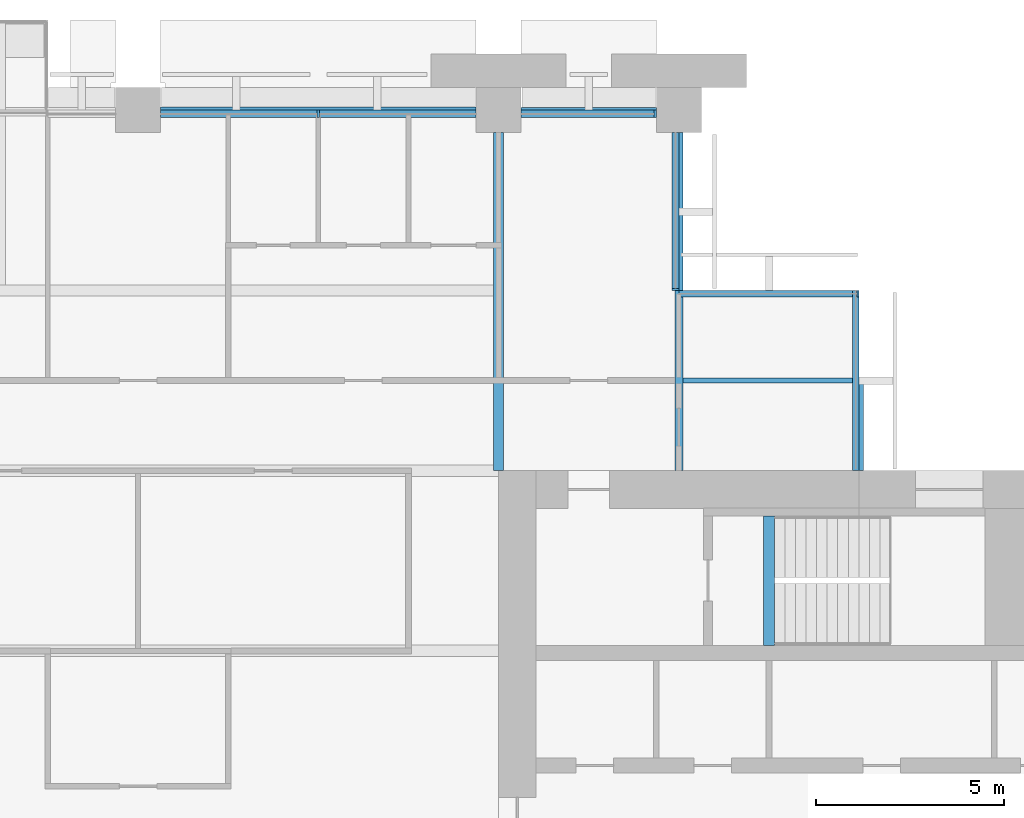
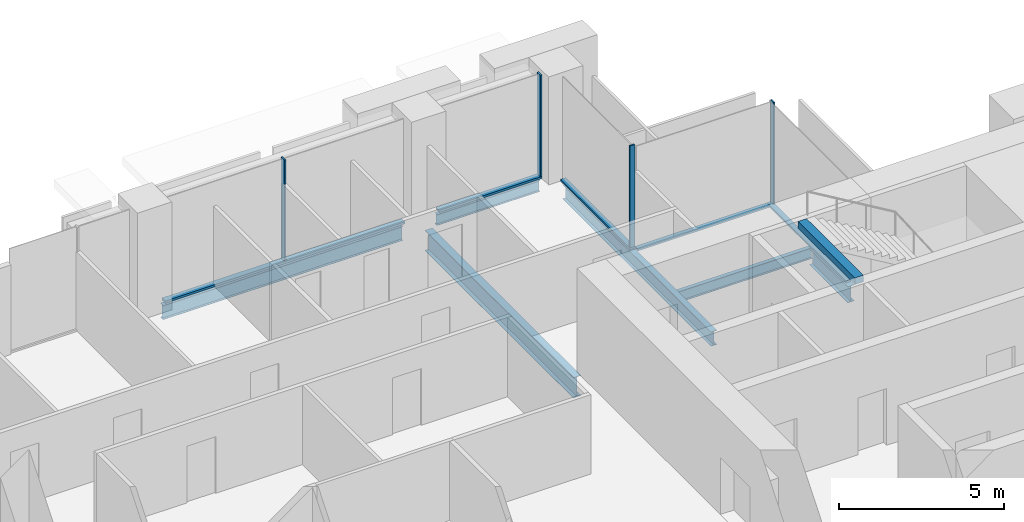
# One storey, part 7 of 15: 9 members, 7 beams, 4 elements without a shape of their own.
"""IFC4 building model written with IfcOpenShell, lengths in metres."""

from ifc_helpers import new_model, si_unit, direction, frame, origin, origin_2d, place, context, subcontext, project, spatial, rectangle, i_section, extrude, material, material_profile, profile_set, type_object, element, aggregate, save


model = new_model("IFC4")

# Units and contexts
model_context = context("Model", 3, precision=1e-05, world=origin(), true_north=direction((0.0, 1.0)))
body_context = subcontext(model_context, "Body", "Model", "MODEL_VIEW")
ifc_project = project(units=[si_unit("LENGTHUNIT", "METRE"), si_unit("AREAUNIT", "SQUARE_METRE"), si_unit("VOLUMEUNIT", "CUBIC_METRE"), si_unit("PLANEANGLEUNIT", "RADIAN"), si_unit("MASSUNIT", "GRAM", prefix="KILO")], contexts=[model_context])

# Site, building, storey
site_placement = place(None, origin())
site = spatial("IfcSite", under=ifc_project, at=site_placement, CompositionType="ELEMENT")
building_placement = place(site_placement, origin())
building = spatial("IfcBuilding", under=site, at=building_placement, Name="Baori Bourse Tower", CompositionType="ELEMENT")
storey_placement = place(building_placement, frame((0.0, 0.0, 152.10009765625)))
storey = spatial("IfcBuildingStorey", under=building, at=storey_placement, Name="L33", CompositionType="ELEMENT", Elevation=152.10009765625)

# Curtain wall, members
ifc_material_1 = material(Name="Pale anodised aluminium", Category="aluminium")
curtain_wall_type_1 = type_object("IfcCurtainWallType", Name="CW1 Curtain wall", PredefinedType="NOTDEFINED", material=ifc_material_1)
curtain_wall_1_placement = place(storey_placement, origin())
curtain_wall_1 = element("IfcCurtainWall", 1, at=curtain_wall_1_placement, inside=storey, type_object=curtain_wall_type_1, Name="Curtain wall CW1 L33 4", PredefinedType="NOTDEFINED")
ifc_material_2 = material(Name="Pale anodised aluminium", Category="aluminium")
ifc_material_profile_1 = material_profile(ifc_material_2, rectangle(XDim=0.199951171875, YDim=0.06005859375, at=origin_2d()), Name="Mullion 60x200")
ifc_profile_set_1 = profile_set([ifc_material_profile_1], Name="Pale anodised aluminium")
member_type_1 = type_object("IfcMemberType", Name="CW1 Curtain wall mullion", PredefinedType="MULLION", material=ifc_profile_set_1)
member_1_placement = place(storey_placement, frame((42.570068359375, 47.89990234375, 0.079833984375), z_axis=(0.0, 0.0, 1.0), x_axis=(0.0, -1.0, 0.0)))
member_1 = element("IfcMember", 2, at=member_1_placement, type_object=member_type_1, Name="Curtain wall CW1 mullion", PredefinedType="MULLION", context=body_context, shape_type="SweptSolid", body=[
    extrude(rectangle(XDim=0.199951171875, YDim=0.06005859375, at=origin_2d()), origin(), (0.0, 0.0, 1.0), 3.760009765625),
])
member_2_placement = place(storey_placement, frame((33.60009765625, 47.89990234375, 0.079833984375), z_axis=(0.0, 0.0, 1.0), x_axis=(0.0, -1.0, 0.0)))
member_2 = element("IfcMember", 3, at=member_2_placement, type_object=member_type_1, Name="Curtain wall CW1 mullion", PredefinedType="MULLION", context=body_context, shape_type="SweptSolid", body=[
    extrude(rectangle(XDim=0.199951171875, YDim=0.06005859375, at=origin_2d()), origin(), (0.0, 0.0, 1.0), 3.760009765625),
])
ifc_material_3 = material(Name="Pale anodised aluminium", Category="aluminium")
ifc_material_profile_2 = material_profile(ifc_material_3, rectangle(XDim=0.199951171875, YDim=0.080078125, at=origin_2d()), Name="Transom 80x200")
ifc_profile_set_2 = profile_set([ifc_material_profile_2], Name="Pale anodised aluminium")
member_type_2 = type_object("IfcMemberType", Name="CW1 Curtain wall transom", PredefinedType="USERDEFINED", material=ifc_profile_set_2)
member_3_placement = place(storey_placement, frame((42.60009765625, 47.89990234375, 0.039794921875), z_axis=(-1.0, 0.0, 0.0), x_axis=(0.0, -1.0, 0.0)))
member_3 = element("IfcMember", 4, at=member_3_placement, type_object=member_type_2, Name="Curtain wall CW1 sill rail", ObjectType="TRANSOM", PredefinedType="USERDEFINED", context=body_context, shape_type="SweptSolid", body=[
    extrude(rectangle(XDim=0.199951171875, YDim=0.080078125, at=origin_2d()), origin(), (0.0, 0.0, 1.0), 3.60009765625),
])
member_4_placement = place(storey_placement, frame((37.800048828125, 47.89990234375, 0.039794921875), z_axis=(-1.0, 0.0, 0.0), x_axis=(0.0, -1.0, 0.0)))
member_4 = element("IfcMember", 5, at=member_4_placement, type_object=member_type_2, Name="Curtain wall CW1 sill rail", ObjectType="TRANSOM", PredefinedType="USERDEFINED", context=body_context, shape_type="SweptSolid", body=[
    extrude(rectangle(XDim=0.199951171875, YDim=0.080078125, at=origin_2d()), origin(), (0.0, 0.0, 1.0), 8.400146484375),
])
aggregate(curtain_wall_1, [member_3, member_1, member_4, member_2])

# Curtain wall, member
ifc_material_4 = material(Name="Pale anodised aluminium", Category="aluminium")
curtain_wall_type_2 = type_object("IfcCurtainWallType", Name="CW2 Curtain wall", PredefinedType="NOTDEFINED", material=ifc_material_4)
curtain_wall_2_placement = place(storey_placement, origin())
curtain_wall_2 = element("IfcCurtainWall", 6, at=curtain_wall_2_placement, inside=storey, type_object=curtain_wall_type_2, Name="Curtain wall CW2 L33 2", PredefinedType="NOTDEFINED")
ifc_material_5 = material(Name="Pale anodised aluminium", Category="aluminium")
ifc_material_profile_3 = material_profile(ifc_material_5, rectangle(XDim=0.179931640625, YDim=0.054931640625, at=origin_2d()), Name="Mullion 55x180")
ifc_profile_set_3 = profile_set([ifc_material_profile_3], Name="Pale anodised aluminium")
member_type_3 = type_object("IfcMemberType", Name="CW2 Curtain wall mullion", PredefinedType="MULLION", material=ifc_profile_set_3)
member_5_placement = place(storey_placement, frame((47.972412109375, 43.110107421875, 0.06982421875), z_axis=(0.0, 0.0, 1.0), x_axis=(0.0, -1.0, 0.0)))
member_5 = element("IfcMember", 7, at=member_5_placement, type_object=member_type_3, Name="Curtain wall CW2 mullion", PredefinedType="MULLION", context=body_context, shape_type="SweptSolid", body=[
    extrude(rectangle(XDim=0.179931640625, YDim=0.054931640625, at=origin_2d()), origin(), (0.0, 0.0, 1.0), 3.77001953125),
])

curtain_wall_3_placement = place(storey_placement, origin())
curtain_wall_3 = element("IfcCurtainWall", 8, at=curtain_wall_3_placement, inside=storey, type_object=curtain_wall_type_2, Name="Curtain wall CW2 L33 3", PredefinedType="NOTDEFINED")
member_6_placement = place(storey_placement, frame((43.110107421875, 43.2275390625, 0.06982421875), z_axis=(0.0, 0.0, 1.0), x_axis=(-1.0, 0.0, 0.0)))
member_6 = element("IfcMember", 9, at=member_6_placement, type_object=member_type_3, Name="Curtain wall CW2 mullion", PredefinedType="MULLION", context=body_context, shape_type="SweptSolid", body=[
    extrude(rectangle(XDim=0.179931640625, YDim=0.054931640625, at=origin_2d()), origin(), (0.0, 0.0, 1.0), 3.77001953125),
])

curtain_wall_4_placement = place(storey_placement, origin())
curtain_wall_4 = element("IfcCurtainWall", 10, at=curtain_wall_4_placement, inside=storey, type_object=curtain_wall_type_2, Name="Curtain wall CW2 L33 1", PredefinedType="NOTDEFINED")
ifc_material_6 = material(Name="Pale anodised aluminium", Category="aluminium")
ifc_material_profile_4 = material_profile(ifc_material_6, rectangle(XDim=0.179931640625, YDim=0.070068359375, at=origin_2d()), Name="Transom 70x180")
ifc_profile_set_4 = profile_set([ifc_material_profile_4], Name="Pale anodised aluminium")
member_type_4 = type_object("IfcMemberType", Name="CW2 Curtain wall transom", PredefinedType="USERDEFINED", material=ifc_profile_set_4)
member_7_placement = place(storey_placement, frame((47.909912109375, 38.39990234375, 0.034912109375), z_axis=(0.0, 1.0, 0.0), x_axis=(-1.0, 0.0, 0.0)))
member_7 = element("IfcMember", 11, at=member_7_placement, type_object=member_type_4, Name="Curtain wall CW2 sill rail", ObjectType="TRANSOM", PredefinedType="USERDEFINED", context=body_context, shape_type="SweptSolid", body=[
    extrude(rectangle(XDim=0.179931640625, YDim=0.070068359375, at=origin_2d()), origin(), (0.0, 0.0, 1.0), 4.800048828125),
])
aggregate(curtain_wall_4, [member_7])

# Member
member_8_placement = place(storey_placement, frame((48.0, 43.110107421875, 0.034912109375), z_axis=(-1.0, 0.0, 0.0), x_axis=(0.0, -1.0, 0.0)))
member_8 = element("IfcMember", 12, at=member_8_placement, type_object=member_type_4, Name="Curtain wall CW2 sill rail", ObjectType="TRANSOM", PredefinedType="USERDEFINED", context=body_context, shape_type="SweptSolid", body=[
    extrude(rectangle(XDim=0.179931640625, YDim=0.070068359375, at=origin_2d()), origin(), (0.0, 0.0, 1.0), 4.800048828125),
])

aggregate(curtain_wall_2, [member_8, member_5])

member_9_placement = place(storey_placement, frame((43.110107421875, 43.199951171875, 0.034912109375), z_axis=(0.0, 1.0, 0.0), x_axis=(-1.0, 0.0, 0.0)))
member_9 = element("IfcMember", 13, at=member_9_placement, type_object=member_type_4, Name="Curtain wall CW2 sill rail", ObjectType="TRANSOM", PredefinedType="USERDEFINED", context=body_context, shape_type="SweptSolid", body=[
    extrude(rectangle(XDim=0.179931640625, YDim=0.070068359375, at=origin_2d()), origin(), (0.0, 0.0, 1.0), 4.199951171875),
])

aggregate(curtain_wall_3, [member_9, member_6])

# Beams
ifc_material_7 = material(Name="Steel A992 Gr 50", Category="steel")
ifc_material_profile_5 = material_profile(ifc_material_7, i_section(OverallWidth=0.227783203125, OverallDepth=0.60205078125, WebThickness=0.010498046875, FlangeThickness=0.014892578125, at=origin_2d()), Name="W24x68")
ifc_profile_set_5 = profile_set([ifc_material_profile_5], Name="Steel A992 Gr 50")
beam_type_1 = type_object("IfcBeamType", Name="Core bracket W24x68", PredefinedType="BEAM", material=ifc_profile_set_5)
beam_1_placement = place(storey_placement, frame((48.0, 38.39990234375, -0.461181640625), z_axis=(0.0, 1.0, 0.0), x_axis=(-1.0, 0.0, 0.0)))
element("IfcBeam", 14, at=beam_1_placement, inside=storey, type_object=beam_type_1, Name="Core bracket L33", PredefinedType="BEAM", context=body_context, shape_type="SweptSolid", body=[
    extrude(i_section(OverallWidth=0.227783203125, OverallDepth=0.60205078125, WebThickness=0.010498046875, FlangeThickness=0.014892578125, at=origin_2d()), origin(), (0.0, 0.0, 1.0), 2.329833984375),
])
ifc_material_8 = material(Name="Steel A992 Gr 50", Category="steel")
ifc_material_profile_6 = material_profile(ifc_material_8, i_section(OverallWidth=0.140380859375, OverallDepth=0.40380859375, WebThickness=0.007080078125, FlangeThickness=0.01123046875, at=origin_2d()), Name="W16x31")
ifc_profile_set_6 = profile_set([ifc_material_profile_6], Name="Steel A992 Gr 50")
beam_type_2 = type_object("IfcBeamType", Name="Edge beam W16x31", PredefinedType="BEAM", material=ifc_profile_set_6)
beam_2_placement = place(storey_placement, frame((39.0, 48.0, -0.362060546875), z_axis=(1.0, 0.0, 0.0), x_axis=(0.0, 1.0, 0.0)))
element("IfcBeam", 15, at=beam_2_placement, inside=storey, type_object=beam_type_2, Name="Edge beam L33", PredefinedType="BEAM", context=body_context, shape_type="SweptSolid", body=[
    extrude(i_section(OverallWidth=0.140380859375, OverallDepth=0.40380859375, WebThickness=0.007080078125, FlangeThickness=0.01123046875, at=origin_2d()), origin(), (0.0, 0.0, 1.0), 3.60009765625),
])
ifc_material_9 = material(Name="Steel A992 Gr 50", Category="steel")
ifc_material_profile_7 = material_profile(ifc_material_9, i_section(OverallWidth=0.1650390625, OverallDepth=0.52587890625, WebThickness=0.0087890625, FlangeThickness=0.011474609375, at=origin_2d()), Name="W21x44")
ifc_profile_set_7 = profile_set([ifc_material_profile_7], Name="Steel A992 Gr 50")
beam_type_3 = type_object("IfcBeamType", Name="Edge beam W21x44", PredefinedType="BEAM", material=ifc_profile_set_7)
beam_3_placement = place(storey_placement, frame((29.39990234375, 48.0, -0.423095703125), z_axis=(1.0, 0.0, 0.0), x_axis=(0.0, 1.0, 0.0)))
element("IfcBeam", 16, at=beam_3_placement, inside=storey, type_object=beam_type_3, Name="Edge beam L33", PredefinedType="BEAM", context=body_context, shape_type="SweptSolid", body=[
    extrude(i_section(OverallWidth=0.1650390625, OverallDepth=0.52587890625, WebThickness=0.0087890625, FlangeThickness=0.011474609375, at=origin_2d()), origin(), (0.0, 0.0, 1.0), 8.400146484375),
])
ifc_material_10 = material(Name="Steel A992 Gr 50", Category="steel")
ifc_material_profile_8 = material_profile(ifc_material_10, i_section(OverallWidth=0.209228515625, OverallDepth=0.533447265625, WebThickness=0.01025390625, FlangeThickness=0.015625, at=origin_2d()), Name="W21x62")
ifc_profile_set_8 = profile_set([ifc_material_profile_8], Name="Steel A992 Gr 50")
beam_type_4 = type_object("IfcBeamType", Name="Floor beam W21x62", PredefinedType="BEAM", material=ifc_profile_set_8)
beam_4_placement = place(storey_placement, frame((43.199951171875, 38.39990234375, -0.4267578125), z_axis=(0.0, 1.0, 0.0), x_axis=(-1.0, 0.0, 0.0)))
element("IfcBeam", 17, at=beam_4_placement, inside=storey, type_object=beam_type_4, Name="Floor beam L33", PredefinedType="BEAM", context=body_context, shape_type="SweptSolid", body=[
    extrude(i_section(OverallWidth=0.209228515625, OverallDepth=0.533447265625, WebThickness=0.01025390625, FlangeThickness=0.015625, at=origin_2d()), origin(), (0.0, 0.0, 1.0), 9.0),
])
ifc_material_11 = material(Name="Steel A992 Gr 50", Category="steel")
ifc_material_profile_9 = material_profile(ifc_material_11, i_section(OverallWidth=0.2666015625, OverallDepth=0.7568359375, WebThickness=0.013916015625, FlangeThickness=0.019287109375, at=origin_2d()), Name="W30x108")
ifc_profile_set_9 = profile_set([ifc_material_profile_9], Name="Steel A992 Gr 50")
beam_type_5 = type_object("IfcBeamType", Name="Girder W30x108", PredefinedType="BEAM", material=ifc_profile_set_9)
beam_5_placement = place(storey_placement, frame((38.39990234375, 38.39990234375, -0.53857421875), z_axis=(0.0, 1.0, 0.0), x_axis=(-1.0, 0.0, 0.0)))
element("IfcBeam", 18, at=beam_5_placement, inside=storey, type_object=beam_type_5, Name="Girder L33", PredefinedType="BEAM", context=body_context, shape_type="SweptSolid", body=[
    extrude(i_section(OverallWidth=0.2666015625, OverallDepth=0.7568359375, WebThickness=0.013916015625, FlangeThickness=0.019287109375, at=origin_2d()), origin(), (0.0, 0.0, 1.0), 9.0),
])
ifc_material_12 = material(Name="Concrete f'c 50 MPa", Category="concrete")
ifc_material_profile_10 = material_profile(ifc_material_12, rectangle(XDim=0.300048828125, YDim=0.25, at=origin_2d()), Name="RC 300x250")
ifc_profile_set_10 = profile_set([ifc_material_profile_10], Name="Concrete f'c 50 MPa")
beam_type_6 = type_object("IfcBeamType", Name="Stair nib beam RC 300x250", PredefinedType="BEAM", material=ifc_profile_set_10)
beam_6_placement = place(storey_placement, frame((45.60009765625, 33.75, 3.71484375), z_axis=(0.0, 1.0, 0.0), x_axis=(-1.0, 0.0, 0.0)))
element("IfcBeam", 19, at=beam_6_placement, inside=storey, type_object=beam_type_6, Name="Stair EB nib beam L34", PredefinedType="BEAM", context=body_context, shape_type="SweptSolid", body=[
    extrude(rectangle(XDim=0.300048828125, YDim=0.25, at=origin_2d()), origin(), (0.0, 0.0, 1.0), 3.449951171875),
])
ifc_material_13 = material(Name="Steel A992 Gr 50", Category="steel")
ifc_material_profile_11 = material_profile(ifc_material_13, i_section(OverallWidth=0.140380859375, OverallDepth=0.40380859375, WebThickness=0.007080078125, FlangeThickness=0.01123046875, at=origin_2d()), Name="W16x31")
ifc_profile_set_11 = profile_set([ifc_material_profile_11], Name="Steel A992 Gr 50")
beam_type_7 = type_object("IfcBeamType", Name="Trimmer beam W16x31", PredefinedType="BEAM", material=ifc_profile_set_11)
beam_7_placement = place(storey_placement, frame((43.3046875, 40.800048828125, -0.362060546875), z_axis=(1.0, 0.0, 0.0), x_axis=(0.0, 1.0, 0.0)))
element("IfcBeam", 20, at=beam_7_placement, inside=storey, type_object=beam_type_7, Name="Trimmer beam L33", PredefinedType="BEAM", context=body_context, shape_type="SweptSolid", body=[
    extrude(i_section(OverallWidth=0.140380859375, OverallDepth=0.40380859375, WebThickness=0.007080078125, FlangeThickness=0.01123046875, at=origin_2d()), origin(), (0.0, 0.0, 1.0), 4.6953125),
])

save(model, "model.ifc")
